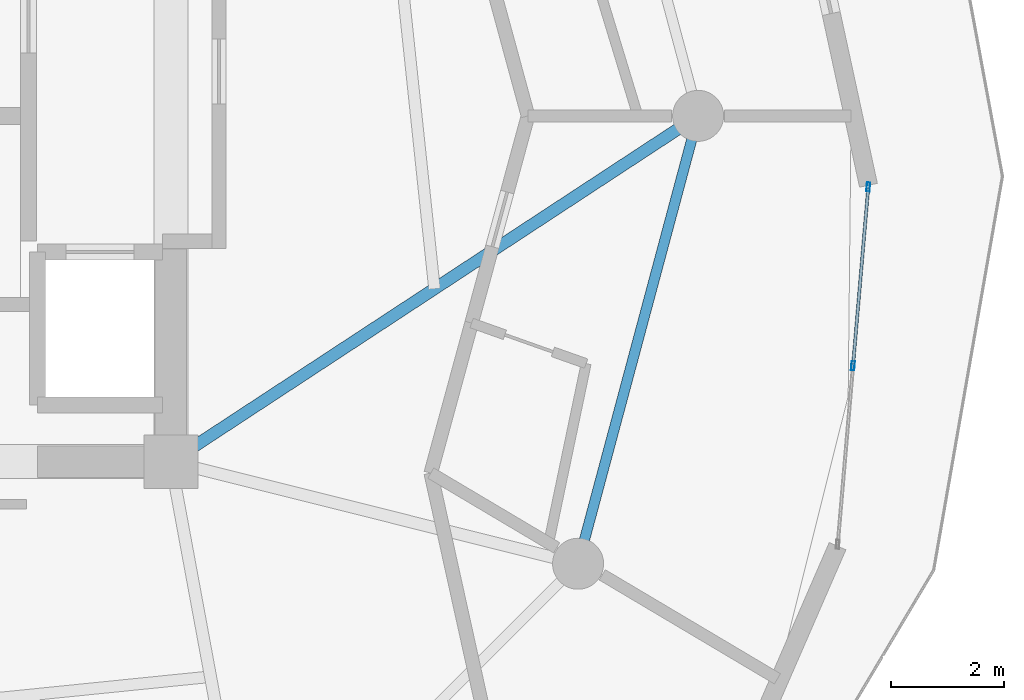
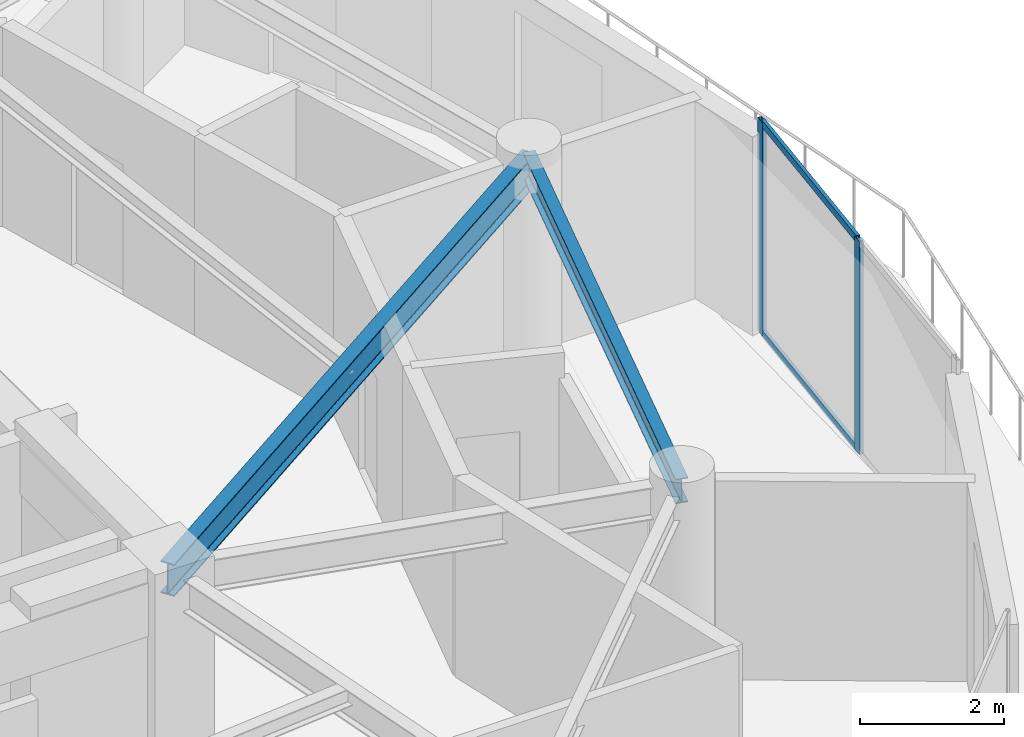
# One storey, part 12 of 23: 4 members, 2 beams, 1 element without a shape of its own.
"""IFC4 building model written with IfcOpenShell, lengths in metres."""

from ifc_helpers import new_model, si_unit, direction, frame, origin, origin_2d, place, context, subcontext, project, spatial, hollow_rectangle, i_section, extrude, source, transform, mapped, material, layer, layer_set, material_profile, profile_set, type_object, element, aggregate, save


model = new_model("IFC4")

# Units and contexts
model_context = context("Model", 3, precision=1e-05, world=origin(), true_north=direction((0.0, 1.0)))
body_context = subcontext(model_context, "Body", "Model", "MODEL_VIEW")
ifc_project = project(units=[si_unit("LENGTHUNIT", "METRE"), si_unit("AREAUNIT", "SQUARE_METRE"), si_unit("VOLUMEUNIT", "CUBIC_METRE"), si_unit("PLANEANGLEUNIT", "RADIAN"), si_unit("MASSUNIT", "GRAM", prefix="KILO")], contexts=[model_context])

# Site, building, storey
site_placement = place(None, origin())
site = spatial("IfcSite", under=ifc_project, at=site_placement, CompositionType="ELEMENT")
building_placement = place(site_placement, origin())
building = spatial("IfcBuilding", under=site, at=building_placement, Name="Solvirekh Grand Hotel", CompositionType="ELEMENT")
storey_placement = place(building_placement, frame((0.0, 0.0, 180.39990234375)))
storey = spatial("IfcBuildingStorey", under=building, at=storey_placement, Name="L46", CompositionType="ELEMENT", Elevation=180.39990234375)

# Beams
ifc_material_1 = material(Name="Steel S355", Category="steel")
ifc_material_profile_1 = material_profile(ifc_material_1, i_section(OverallWidth=0.2119140625, OverallDepth=0.5439453125, WebThickness=0.011962890625, FlangeThickness=0.01904296875, FilletRadius=0.013916015625, at=origin_2d()), Name="W530X123")
ifc_profile_set_1 = profile_set([ifc_material_profile_1], Name="Steel S355")
beam_type_1 = type_object("IfcBeamType", Name="Beam_Radial_W530H", PredefinedType="BEAM", material=ifc_profile_set_1)
beam_1_placement = place(storey_placement, frame((6.5, -6.10009765625, 3.088134765625), z_axis=(0.836174064962, 0.548464158432, 0.0), x_axis=(-0.548464158432, 0.836174064962, 0.0)))
element("IfcBeam", 1, at=beam_1_placement, inside=storey, type_object=beam_type_1, Name="L46 radial floor beam R01", PredefinedType="BEAM", context=body_context, shape_type="SweptSolid", body=[
    extrude(i_section(OverallWidth=0.2119140625, OverallDepth=0.5439453125, WebThickness=0.011962890625, FlangeThickness=0.01904296875, FilletRadius=0.013916015625, at=origin_2d()), origin(), (0.0, 0.0, 1.0), 11.1220703125),
])
ifc_material_profile_2 = material_profile(ifc_material_1, i_section(OverallWidth=0.180908203125, OverallDepth=0.4169921875, WebThickness=0.010009765625, FlangeThickness=0.01611328125, FilletRadius=0.011962890625, at=origin_2d()), Name="W410X85")
ifc_profile_set_2 = profile_set([ifc_material_profile_2], Name="Steel S355")
beam_type_2 = type_object("IfcBeamType", Name="Spandrel_Ring_W410", PredefinedType="SPANDREL", material=ifc_profile_set_2)
beam_2_placement = place(storey_placement, frame((13.68310546875, -7.89990234375, 3.152099609375), z_axis=(0.258838541915, 0.965920601923, 0.0), x_axis=(-0.965920601923, 0.258838541915, 0.0)))
element("IfcBeam", 2, at=beam_2_placement, inside=storey, type_object=beam_type_2, Name="L46 perimeter spandrel beam 12", PredefinedType="SPANDREL", context=body_context, shape_type="SweptSolid", body=[
    extrude(i_section(OverallWidth=0.180908203125, OverallDepth=0.4169921875, WebThickness=0.010009765625, FlangeThickness=0.01611328125, FilletRadius=0.011962890625, at=origin_2d()), origin(), (0.0, 0.0, 1.0), 8.1787109375),
])

# Curtain wall, members
ifc_material_2 = material(Name="Anodized Bronze Aluminium 6063-T6", Category="aluminium")
ifc_layer = layer(ifc_material_2, 0.159912109375)
ifc_layer_set = layer_set([ifc_layer], Name="Anodized Bronze Aluminium 6063-T6")
curtain_wall_type = type_object("IfcCurtainWallType", Name="CW_Sys4_HighZoneFlushBronzeCW", PredefinedType="NOTDEFINED", material=ifc_layer_set)
curtain_wall_placement = place(storey_placement, origin())
curtain_wall = element("IfcCurtainWall", 3, at=curtain_wall_placement, inside=storey, type_object=curtain_wall_type, Name="L46 unitised bronze-glass curtain wall CW-L46-C03", PredefinedType="NOTDEFINED")
ifc_material_profile_3 = material_profile(ifc_material_2, hollow_rectangle(XDim=0.06005859375, YDim=0.159912109375, WallThickness=0.0048828125, at=origin_2d()), Name="ALU RHS 160X60X5")
ifc_profile_set_3 = profile_set([ifc_material_profile_3], Name="Anodized Bronze Aluminium 6063-T6")
member_type_1 = type_object("IfcMemberType", Name="CWMullion_Sys4", PredefinedType="MULLION", material=ifc_profile_set_3)
shared_shape_1 = source(origin(), body_context, "Body", "SweptSolid", [
    extrude(hollow_rectangle(XDim=0.06005859375, YDim=0.159912109375, WallThickness=0.0048828125, at=origin_2d()), origin(), (0.0, 0.0, 1.0), 3.60009765625),
])
member_1_placement = place(storey_placement, frame((18.532470703125, -4.406982421875, 0.0), z_axis=(0.0, 0.0, 1.0), x_axis=(-0.996355395292, 0.085299040279, 0.0)))
member_1 = element("IfcMember", 4, at=member_1_placement, type_object=member_type_1, Name="U04 mullion 2", PredefinedType="MULLION", context=body_context, shape_type="MappedRepresentation", body=[
    mapped(shared_shape_1, transform((0.0, 0.0, 0.0), x_axis=(1.0, 0.0, 0.0), y_axis=(0.0, 1.0, 0.0), z_axis=(0.0, 0.0, 1.0), scale=1.0)),
])
member_2_placement = place(storey_placement, frame((18.802490234375, -1.25390625, 0.0), z_axis=(0.0, 0.0, 1.0), x_axis=(-0.996355395292, 0.085299040279, 0.0)))
member_2 = element("IfcMember", 5, at=member_2_placement, type_object=member_type_1, Name="U04 mullion 3", PredefinedType="MULLION", context=body_context, shape_type="MappedRepresentation", body=[
    mapped(shared_shape_1, transform((0.0, 0.0, 0.0), x_axis=(1.0, 0.0, 0.0), y_axis=(0.0, 1.0, 0.0), z_axis=(0.0, 0.0, 1.0), scale=1.0)),
])
ifc_material_profile_4 = material_profile(ifc_material_2, hollow_rectangle(XDim=0.054931640625, YDim=0.1201171875, WallThickness=0.00390625, at=origin_2d()), Name="ALU RHS 120X55X4")
ifc_profile_set_4 = profile_set([ifc_material_profile_4], Name="Anodized Bronze Aluminium 6063-T6")
member_type_2 = type_object("IfcMemberType", Name="CWTransom_Sys4", PredefinedType="USERDEFINED", material=ifc_profile_set_4)
shared_shape_2 = source(origin(), body_context, "Body", "SweptSolid", [
    extrude(hollow_rectangle(XDim=0.054931640625, YDim=0.1201171875, WallThickness=0.00390625, at=origin_2d()), origin(), (0.0, 0.0, 1.0), 3.104736328125),
])
member_3_placement = place(storey_placement, frame((18.53515625, -4.377197265625, 0.027587890625), z_axis=(0.085238330087, 0.996360590893, 0.0), x_axis=(-0.996360590893, 0.085238330087, 0.0)))
member_3 = element("IfcMember", 6, at=member_3_placement, type_object=member_type_2, Name="U04 transom 2.1", ObjectType="TRANSOM", PredefinedType="USERDEFINED", context=body_context, shape_type="MappedRepresentation", body=[
    mapped(shared_shape_2, transform((0.0, 0.0, 0.0), x_axis=(1.0, 0.0, 0.0), y_axis=(0.0, 1.0, 0.0), z_axis=(0.0, 0.0, 1.0), scale=1.0)),
])
member_4_placement = place(storey_placement, frame((18.53515625, -4.377197265625, 3.572509765625), z_axis=(0.085238330087, 0.996360590893, 0.0), x_axis=(-0.996360590893, 0.085238330087, 0.0)))
member_4 = element("IfcMember", 7, at=member_4_placement, type_object=member_type_2, Name="U04 transom 2.2", ObjectType="TRANSOM", PredefinedType="USERDEFINED", context=body_context, shape_type="MappedRepresentation", body=[
    mapped(shared_shape_2, transform((0.0, 0.0, 0.0), x_axis=(1.0, 0.0, 0.0), y_axis=(0.0, 1.0, 0.0), z_axis=(0.0, 0.0, 1.0), scale=1.0)),
])
aggregate(curtain_wall, [member_1, member_2, member_3, member_4])

save(model, "model.ifc")
